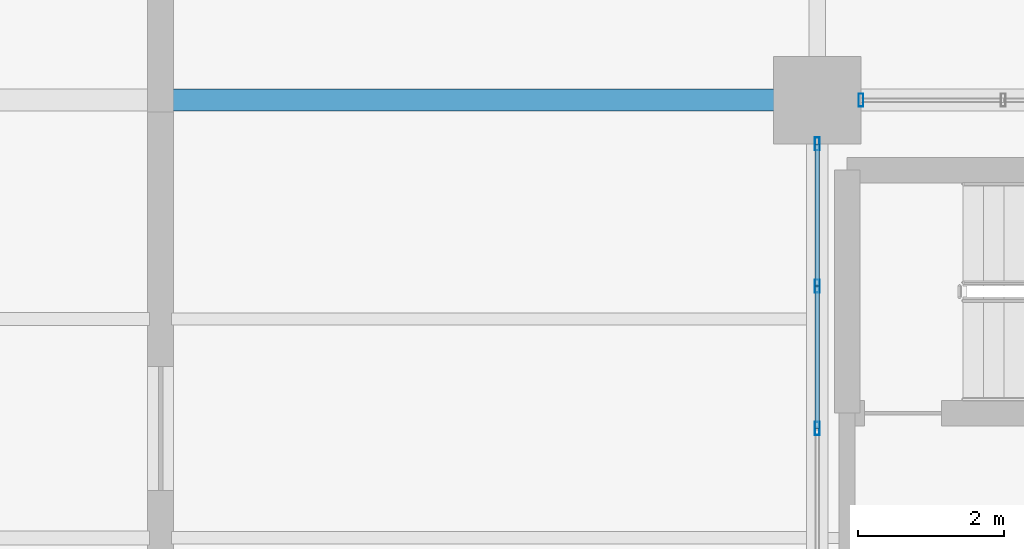
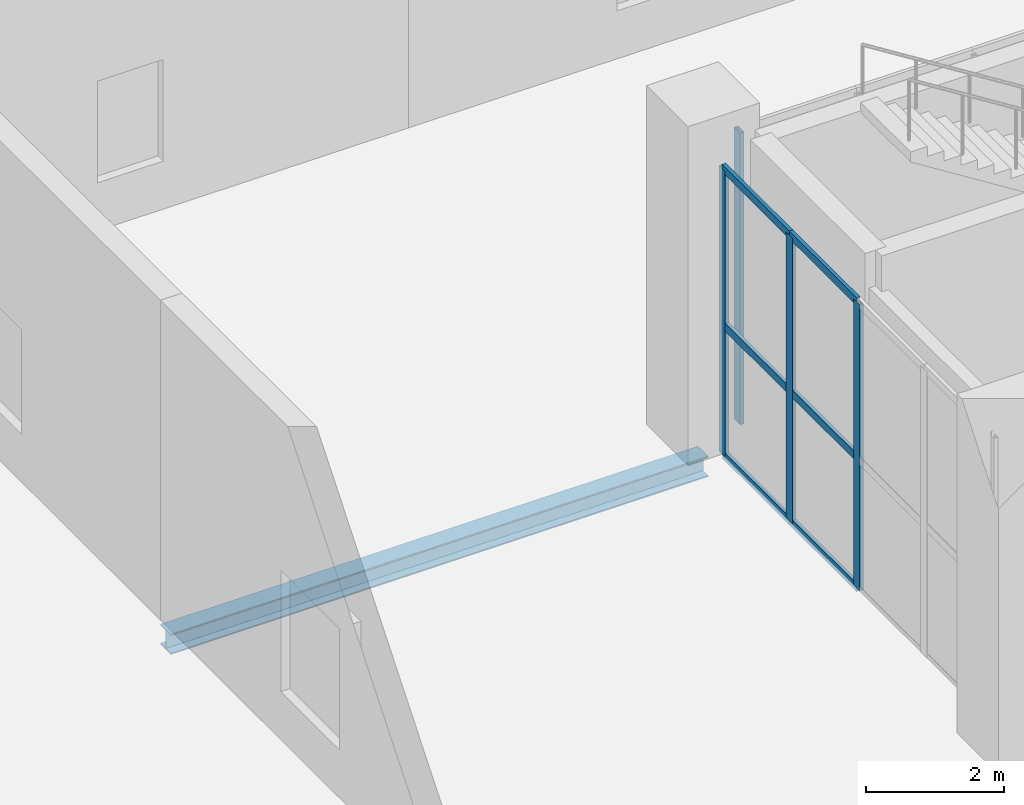
# One storey, part 57 of 144: 10 members, 1 beam, 2 elements without a shape of their own.
"""IFC4 building model written with IfcOpenShell, lengths in metres."""

import ifcopenshell
import ifcopenshell.guid

model = None  # the IFC model being written
_history = None  # IfcOwnerHistory: only IFC2X3 demands one
_inside = {}  # id of a spatial element -> (the spatial element, [elements in it])
_under = {}  # id of a project, library or spatial element -> (it, [spatial elements below it])
_declared = {}  # id of a project -> (the project, [libraries it declares])
_typed = {}  # id of a type object -> (the type object, [elements of that type])
_made_of = {}  # id of a material, layer set ... -> (it, [elements and type objects made of it])


def new_model(schema):
    """Start an empty IFC model of exactly this schema.

    Asked for "IFC4X3", IfcOpenShell would pick the latest addendum, in which some entities
    have other attributes; the version numbers below select the first issue.
    IFC2X3 requires an IfcOwnerHistory on every rooted entity: one is made here for all.
    """
    global model, _history
    if schema == "IFC4X3":
        model = ifcopenshell.file(schema_version=(4, 3, 0, 0))
    else:
        model = ifcopenshell.file(schema=schema)
    _inside.clear()
    _under.clear()
    _declared.clear()
    _typed.clear()
    _made_of.clear()
    _history = None
    if model.schema == "IFC2X3":
        org = make("IfcOrganization", Name="unknown")
        user = make(
            "IfcPersonAndOrganization",
            ThePerson=make("IfcPerson", FamilyName="unknown"),
            TheOrganization=org,
        )
        app = make(
            "IfcApplication",
            ApplicationDeveloper=org,
            Version="unknown",
            ApplicationFullName="unknown",
            ApplicationIdentifier="unknown",
        )
        _history = make(
            "IfcOwnerHistory",
            OwningUser=user,
            OwningApplication=app,
            ChangeAction="ADDED",
            CreationDate=0,
        )
    return model


def make(cls, **values):
    """One entity of the class cls with the attributes given. An attribute that is None is left unset."""
    return model.create_entity(
        cls, **{name: value for name, value in values.items() if value is not None}
    )


def rooted(cls, **values):
    """An entity with a GlobalId (a new one), such as an element, a storey or a relation."""
    return make(cls, GlobalId=ifcopenshell.guid.new(), OwnerHistory=_history, **values)


def si_unit(unit_type, name, prefix=None):
    """IfcSIUnit, for example si_unit("LENGTHUNIT", "METRE", prefix="MILLI")."""
    return make("IfcSIUnit", UnitType=unit_type, Prefix=prefix, Name=name)


def assignment(units):
    """IfcUnitAssignment: the units of a project."""
    return None if units is None else make("IfcUnitAssignment", Units=units)


def point(xyz):
    """IfcCartesianPoint."""
    return None if xyz is None else make("IfcCartesianPoint", Coordinates=xyz)


def direction(xyz):
    """IfcDirection."""
    return None if xyz is None else make("IfcDirection", DirectionRatios=xyz)


def frame(location, z_axis=None, x_axis=None):
    """IfcAxis2Placement3D, a coordinate frame: its origin and axes. An axis left out is left unset."""
    return make(
        "IfcAxis2Placement3D",
        Location=point(location),
        Axis=direction(z_axis),
        RefDirection=direction(x_axis),
    )


def frame_2d(location, x_axis=None):
    """IfcAxis2Placement2D, a coordinate frame in the plane: its origin and x axis."""
    return make(
        "IfcAxis2Placement2D", Location=point(location), RefDirection=direction(x_axis)
    )


def origin():
    """The frame at (0, 0, 0) with its axes left unset."""
    return frame((0.0, 0.0, 0.0))


def origin_2d():
    """The frame at (0, 0) in the plane with its x axis left unset."""
    return frame_2d((0.0, 0.0))


def place(relative_to, where):
    """IfcLocalPlacement: puts the frame where relative to a parent placement (None: the world)."""
    return make(
        "IfcLocalPlacement", PlacementRelTo=relative_to, RelativePlacement=where
    )


def context(
    kind, dimensions, precision=None, world=None, true_north=None, identifier=None
):
    """IfcGeometricRepresentationContext, for example the 3D "Model" context."""
    return make(
        "IfcGeometricRepresentationContext",
        ContextIdentifier=identifier,
        ContextType=kind,
        CoordinateSpaceDimension=dimensions,
        Precision=precision,
        WorldCoordinateSystem=world,
        TrueNorth=true_north,
    )


def subcontext(parent, identifier, kind, view, scale=None):
    """IfcGeometricRepresentationSubContext, for example "Body" below "Model"."""
    return make(
        "IfcGeometricRepresentationSubContext",
        ContextIdentifier=identifier,
        ContextType=kind,
        ParentContext=parent,
        TargetScale=scale,
        TargetView=view,
    )


def project(units=None, contexts=None):
    """IfcProject with its units and contexts."""
    return rooted(
        "IfcProject",
        Name="project",
        RepresentationContexts=contexts,
        UnitsInContext=assignment(units),
    )


def spatial(cls, under=None, at=None, **own):
    """A site, building, storey or space (cls), placed at a placement, below another one or the project."""
    s = rooted(cls, ObjectPlacement=at, **own)
    if under is not None:
        _under.setdefault(under.id(), (under, []))[1].append(s)
    return s


def profile(cls, at=None, kind="AREA", **sizes):
    """A parametric profile (cls). Its sizes go by their IFC names, for example OverallWidth=200.0."""
    return make(cls, ProfileType=kind, Position=at, **sizes)


def hollow_rectangle(**sizes):
    """IfcRectangleHollowProfileDef."""
    return profile("IfcRectangleHollowProfileDef", **sizes)


def i_section(**sizes):
    """IfcIShapeProfileDef."""
    return profile("IfcIShapeProfileDef", **sizes)


def extrude(swept, where, along, depth):
    """IfcExtrudedAreaSolid: the profile swept, set in the frame where, extruded along a direction by depth."""
    return make(
        "IfcExtrudedAreaSolid",
        SweptArea=swept,
        Position=where,
        ExtrudedDirection=direction(along),
        Depth=depth,
    )


def shape(context_of_items, identifier, shape_type, items):
    """IfcShapeRepresentation: the items that make up one representation, for example the "Body"."""
    return make(
        "IfcShapeRepresentation",
        ContextOfItems=context_of_items,
        RepresentationIdentifier=identifier,
        RepresentationType=shape_type,
        Items=items,
    )


def material(Name=None, Category=None):
    """IfcMaterial."""
    return make("IfcMaterial", Name=Name, Category=Category)


def layer(
    of_material, thickness, ventilated=None, Name=None, Category=None, Priority=None
):
    """IfcMaterialLayer: one layer of a wall or slab, of a material (None: an air gap)."""
    return make(
        "IfcMaterialLayer",
        Material=of_material,
        LayerThickness=thickness,
        IsVentilated=ventilated,
        Name=Name,
        Category=Category,
        Priority=Priority,
    )


def layer_set(layers, Name=None):
    """IfcMaterialLayerSet."""
    return make("IfcMaterialLayerSet", MaterialLayers=layers, LayerSetName=Name)


def material_profile(
    of_material, cross_section, Name=None, Category=None, Priority=None
):
    """IfcMaterialProfile: a cross section and its material."""
    return make(
        "IfcMaterialProfile",
        Name=Name,
        Material=of_material,
        Profile=cross_section,
        Priority=Priority,
        Category=Category,
    )


def profile_set(profiles, Name=None, composite=None):
    """IfcMaterialProfileSet."""
    return make(
        "IfcMaterialProfileSet",
        Name=Name,
        MaterialProfiles=profiles,
        CompositeProfile=composite,
    )


def made_of(thing, what):
    """Note that an element or type object is made of a material, layer set ...; save() writes the relation."""
    if what is not None:
        _made_of.setdefault(what.id(), (what, []))[1].append(thing)
    return thing


def type_object(cls, material=None, **own):
    """A type object (cls), such as IfcWallType, which elements share."""
    return made_of(rooted(cls, **own), material)


def element(
    cls,
    number,
    at=None,
    inside=None,
    cuts=None,
    type_object=None,
    material=None,
    context=None,
    identifier="Body",
    shape_type=None,
    held_by="IfcProductDefinitionShape",
    body=None,
    shapes=None,
    **own,
):
    """One element of the class cls, such as IfcWall. Its Tag is "e" and its number.

    at: its placement. inside: the storey or other place that contains it. cuts: it is an
    opening in that element (IfcRelVoidsElement). A single representation is given by context,
    identifier, shape_type and body (its items); several are given by shapes. held_by: the class
    of the entity that holds the representations. save() writes the other relations.
    """
    e = rooted(cls, Tag="e%d" % number, ObjectPlacement=at, **own)
    if body is not None:
        shapes = [shape(context, identifier, shape_type, body)]
    if shapes is not None:
        e.Representation = make(held_by, Representations=shapes)
    if inside is not None:
        _inside.setdefault(inside.id(), (inside, []))[1].append(e)
    if cuts is not None:
        rooted(
            "IfcRelVoidsElement", RelatingBuildingElement=cuts, RelatedOpeningElement=e
        )
    if type_object is not None:
        _typed.setdefault(type_object.id(), (type_object, []))[1].append(e)
    return made_of(e, material)


def aggregate(whole, parts):
    """IfcRelAggregates: a whole, such as a stair, and the parts it consists of."""
    return rooted("IfcRelAggregates", RelatingObject=whole, RelatedObjects=parts)


def save(model, path):
    """Write the relations noted so far, then the file.

    IfcRelAggregates (storeys below a building ...), IfcRelContainedInSpatialStructure (elements
    in a storey), IfcRelDefinesByType, IfcRelAssociatesMaterial and IfcRelDeclares: one each for
    every whole, place, type object, material and project.
    """
    for whole, parts in _under.values():
        aggregate(whole, parts)
    for where, things in _inside.values():
        rooted(
            "IfcRelContainedInSpatialStructure",
            RelatedElements=things,
            RelatingStructure=where,
        )
    for kind, things in _typed.values():
        rooted("IfcRelDefinesByType", RelatedObjects=things, RelatingType=kind)
    for what, things in _made_of.values():
        rooted("IfcRelAssociatesMaterial", RelatedObjects=things, RelatingMaterial=what)
    for by, libraries in _declared.values():
        rooted("IfcRelDeclares", RelatingContext=by, RelatedDefinitions=libraries)
    model.write(path)


model = new_model("IFC4")

# Units and contexts
model_context = context("Model", 3, precision=1e-05, world=origin(), true_north=direction((0.0, 1.0)))
body_context = subcontext(model_context, "Body", "Model", "MODEL_VIEW")
ifc_project = project(units=[si_unit("LENGTHUNIT", "METRE"), si_unit("AREAUNIT", "SQUARE_METRE"), si_unit("VOLUMEUNIT", "CUBIC_METRE"), si_unit("PLANEANGLEUNIT", "RADIAN"), si_unit("MASSUNIT", "GRAM", prefix="KILO")], contexts=[model_context])

# Site, building, storey
site_placement = place(None, origin())
site = spatial("IfcSite", under=ifc_project, at=site_placement, CompositionType="ELEMENT")
building_placement = place(site_placement, origin())
building = spatial("IfcBuilding", under=site, at=building_placement, Name="Sundgate Opera House", CompositionType="ELEMENT")
storey_placement = place(building_placement, origin())
storey = spatial("IfcBuildingStorey", under=building, at=storey_placement, Name="L00", CompositionType="ELEMENT", Elevation=0.0)

# Beam
ifc_material_1 = material(Name="Steel S355J2", Category="steel")
ifc_material_profile_1 = material_profile(ifc_material_1, i_section(OverallWidth=0.300048828125, OverallDepth=0.360107421875, WebThickness=0.012451171875, FlangeThickness=0.0224609375, at=origin_2d()), Name="HEB 360")
ifc_profile_set_1 = profile_set([ifc_material_profile_1], Name="Steel S355J2")
beam_type = type_object("IfcBeamType", Name="BM-GR-HEB360", PredefinedType="BEAM", material=ifc_profile_set_1)
beam_placement = place(storey_placement, frame((27.0, 78.0, -0.5), z_axis=(1.0, 0.0, 0.0), x_axis=(0.0, 1.0, 0.0)))
element("IfcBeam", 1, at=beam_placement, inside=storey, type_object=beam_type, Name="L00 Primary E-W Girder B0483", PredefinedType="BEAM", context=body_context, shape_type="SweptSolid", body=[
    extrude(i_section(OverallWidth=0.300048828125, OverallDepth=0.360107421875, WebThickness=0.012451171875, FlangeThickness=0.0224609375, at=origin_2d()), origin(), (0.0, 0.0, 1.0), 9.0),
])

# Curtain wall, member
ifc_material_2 = material(Name="Anodized aluminium and low-iron glass", Category="aluminium")
ifc_layer = layer(ifc_material_2, 0.179931640625)
ifc_layer_set = layer_set([ifc_layer], Name="Anodized aluminium and low-iron glass")
curtain_wall_type = type_object("IfcCurtainWallType", Name="CW-FOYER-GLASS", PredefinedType="NOTDEFINED", material=ifc_layer_set)
curtain_wall_1_placement = place(storey_placement, origin())
curtain_wall_1 = element("IfcCurtainWall", 2, at=curtain_wall_1_placement, inside=storey, type_object=curtain_wall_type, Name="L00 Curtain Wall CW003", PredefinedType="NOTDEFINED")
ifc_material_3 = material(Name="Anodized aluminium EN AW-6063", Category="aluminium")
ifc_material_profile_2 = material_profile(ifc_material_3, hollow_rectangle(XDim=0.06494140625, YDim=0.179931640625, WallThickness=0.00390625, at=origin_2d()), Name="CWM 180x65x4")
ifc_profile_set_2 = profile_set([ifc_material_profile_2], Name="Anodized aluminium EN AW-6063")
member_type_1 = type_object("IfcMemberType", Name="CWM-ALU-180x65", PredefinedType="MULLION", material=ifc_profile_set_2)
member_1_placement = place(storey_placement, frame((36.60009765625, 78.0, 0.0), z_axis=(0.0, 0.0, 1.0), x_axis=(1.0, 0.0, 0.0)))
member_1 = element("IfcMember", 3, at=member_1_placement, type_object=member_type_1, Name="CW003 Mullion 1", PredefinedType="MULLION", context=body_context, shape_type="SweptSolid", body=[
    extrude(hollow_rectangle(XDim=0.06494140625, YDim=0.179931640625, WallThickness=0.00390625, at=origin_2d()), origin(), (0.0, 0.0, 1.0), 5.1650390625),
])
aggregate(curtain_wall_1, [member_1])

# Curtain wall, members
curtain_wall_2_placement = place(storey_placement, origin())
curtain_wall_2 = element("IfcCurtainWall", 4, at=curtain_wall_2_placement, inside=storey, type_object=curtain_wall_type, Name="L00 Curtain Wall CW007", PredefinedType="NOTDEFINED")
member_2_placement = place(storey_placement, frame((36.0, 77.39990234375, 0.0), z_axis=(0.0, 0.0, 1.0), x_axis=(1.0, 0.0, 0.0)))
member_2 = element("IfcMember", 5, at=member_2_placement, type_object=member_type_1, Name="CW007 Mullion 1", PredefinedType="MULLION", context=body_context, shape_type="SweptSolid", body=[
    extrude(hollow_rectangle(XDim=0.06494140625, YDim=0.179931640625, WallThickness=0.00390625, at=origin_2d()), origin(), (0.0, 0.0, 1.0), 5.06494140625),
])
member_3_placement = place(storey_placement, frame((36.0, 75.449951171875, 0.0), z_axis=(0.0, 0.0, 1.0), x_axis=(1.0, 0.0, 0.0)))
member_3 = element("IfcMember", 6, at=member_3_placement, type_object=member_type_1, Name="CW007 Mullion 2", PredefinedType="MULLION", context=body_context, shape_type="SweptSolid", body=[
    extrude(hollow_rectangle(XDim=0.06494140625, YDim=0.179931640625, WallThickness=0.00390625, at=origin_2d()), origin(), (0.0, 0.0, 1.0), 5.06494140625),
])
member_4_placement = place(storey_placement, frame((36.0, 73.5, 0.0), z_axis=(0.0, 0.0, 1.0), x_axis=(1.0, 0.0, 0.0)))
member_4 = element("IfcMember", 7, at=member_4_placement, type_object=member_type_1, Name="CW007 Mullion 3", PredefinedType="MULLION", context=body_context, shape_type="SweptSolid", body=[
    extrude(hollow_rectangle(XDim=0.06494140625, YDim=0.179931640625, WallThickness=0.00390625, at=origin_2d()), origin(), (0.0, 0.0, 1.0), 5.06494140625),
])
ifc_material_4 = material(Name="Anodized aluminium EN AW-6063", Category="aluminium")
ifc_material_profile_3 = material_profile(ifc_material_4, hollow_rectangle(XDim=0.06005859375, YDim=0.139892578125, WallThickness=0.00390625, at=origin_2d()), Name="CWT 140x60x4")
ifc_profile_set_3 = profile_set([ifc_material_profile_3], Name="Anodized aluminium EN AW-6063")
member_type_2 = type_object("IfcMemberType", Name="CWT-ALU-140x60", PredefinedType="USERDEFINED", material=ifc_profile_set_3)
member_5_placement = place(storey_placement, frame((36.0, 77.39990234375, 0.0), z_axis=(0.0, -1.0, 0.0), x_axis=(1.0, 0.0, 0.0)))
member_5 = element("IfcMember", 8, at=member_5_placement, type_object=member_type_2, Name="CW007 Transom 1", ObjectType="TRANSOM", PredefinedType="USERDEFINED", context=body_context, shape_type="SweptSolid", body=[
    extrude(hollow_rectangle(XDim=0.06005859375, YDim=0.139892578125, WallThickness=0.00390625, at=origin_2d()), origin(), (0.0, 0.0, 1.0), 1.949951171875),
])
member_6_placement = place(storey_placement, frame((36.0, 77.39990234375, 2.300048828125), z_axis=(0.0, -1.0, 0.0), x_axis=(1.0, 0.0, 0.0)))
member_6 = element("IfcMember", 9, at=member_6_placement, type_object=member_type_2, Name="CW007 Transom 2", ObjectType="TRANSOM", PredefinedType="USERDEFINED", context=body_context, shape_type="SweptSolid", body=[
    extrude(hollow_rectangle(XDim=0.06005859375, YDim=0.139892578125, WallThickness=0.00390625, at=origin_2d()), origin(), (0.0, 0.0, 1.0), 1.949951171875),
])
member_7_placement = place(storey_placement, frame((36.0, 77.39990234375, 5.06494140625), z_axis=(0.0, -1.0, 0.0), x_axis=(1.0, 0.0, 0.0)))
member_7 = element("IfcMember", 10, at=member_7_placement, type_object=member_type_2, Name="CW007 Transom 3", ObjectType="TRANSOM", PredefinedType="USERDEFINED", context=body_context, shape_type="SweptSolid", body=[
    extrude(hollow_rectangle(XDim=0.06005859375, YDim=0.139892578125, WallThickness=0.00390625, at=origin_2d()), origin(), (0.0, 0.0, 1.0), 1.949951171875),
])
member_8_placement = place(storey_placement, frame((36.0, 75.449951171875, 0.0), z_axis=(0.0, -1.0, 0.0), x_axis=(1.0, 0.0, 0.0)))
member_8 = element("IfcMember", 11, at=member_8_placement, type_object=member_type_2, Name="CW007 Transom 4", ObjectType="TRANSOM", PredefinedType="USERDEFINED", context=body_context, shape_type="SweptSolid", body=[
    extrude(hollow_rectangle(XDim=0.06005859375, YDim=0.139892578125, WallThickness=0.00390625, at=origin_2d()), origin(), (0.0, 0.0, 1.0), 1.949951171875),
])
member_9_placement = place(storey_placement, frame((36.0, 75.449951171875, 2.300048828125), z_axis=(0.0, -1.0, 0.0), x_axis=(1.0, 0.0, 0.0)))
member_9 = element("IfcMember", 12, at=member_9_placement, type_object=member_type_2, Name="CW007 Transom 5", ObjectType="TRANSOM", PredefinedType="USERDEFINED", context=body_context, shape_type="SweptSolid", body=[
    extrude(hollow_rectangle(XDim=0.06005859375, YDim=0.139892578125, WallThickness=0.00390625, at=origin_2d()), origin(), (0.0, 0.0, 1.0), 1.949951171875),
])
member_10_placement = place(storey_placement, frame((36.0, 75.449951171875, 5.06494140625), z_axis=(0.0, -1.0, 0.0), x_axis=(1.0, 0.0, 0.0)))
member_10 = element("IfcMember", 13, at=member_10_placement, type_object=member_type_2, Name="CW007 Transom 6", ObjectType="TRANSOM", PredefinedType="USERDEFINED", context=body_context, shape_type="SweptSolid", body=[
    extrude(hollow_rectangle(XDim=0.06005859375, YDim=0.139892578125, WallThickness=0.00390625, at=origin_2d()), origin(), (0.0, 0.0, 1.0), 1.949951171875),
])
aggregate(curtain_wall_2, [member_2, member_3, member_4, member_5, member_6, member_7, member_8, member_9, member_10])

save(model, "model.ifc")
